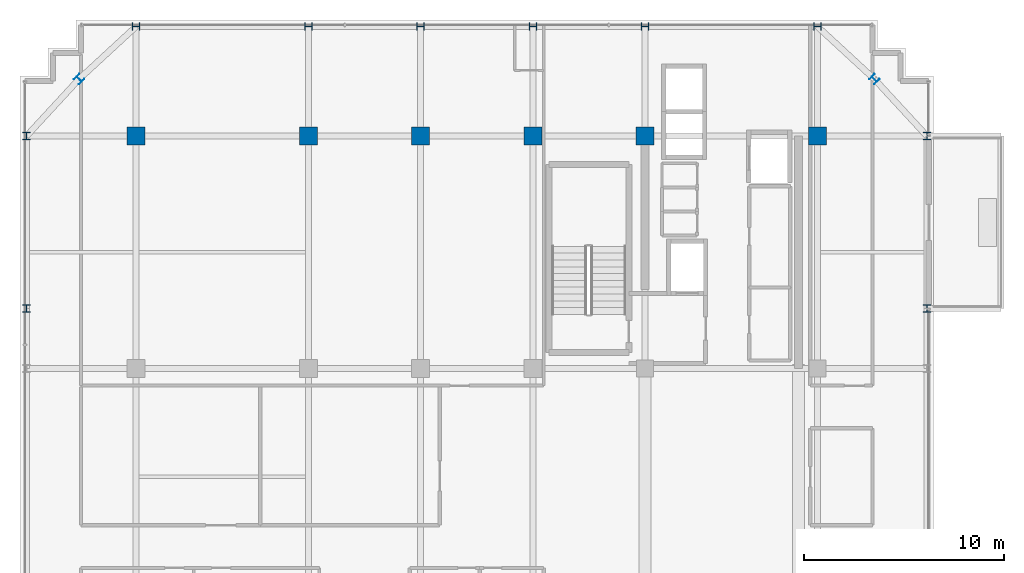
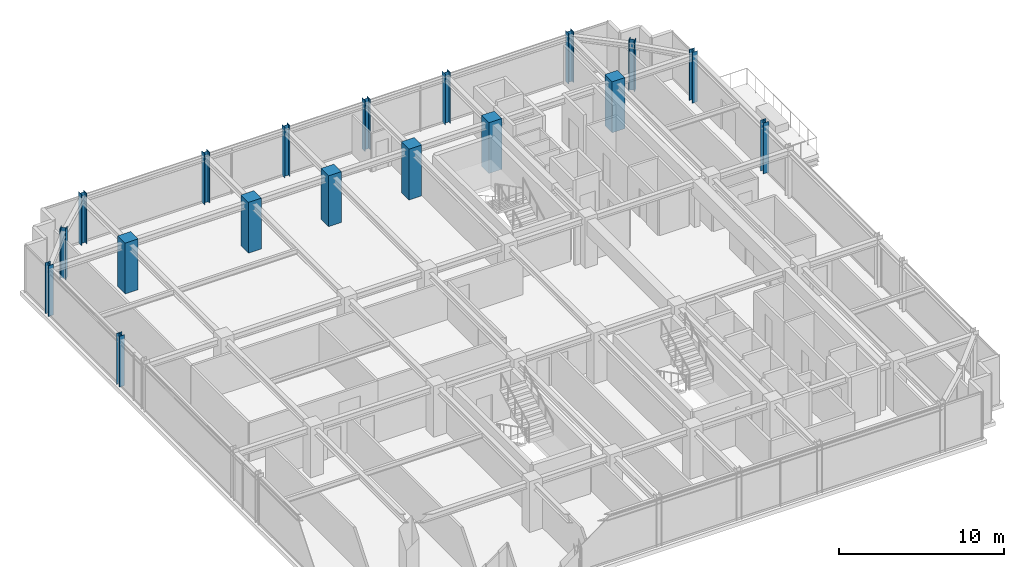
# One storey, part 3 of 33: 18 columns.
"""IFC4 building model written with IfcOpenShell, lengths in metres."""

from ifc_helpers import new_model, si_unit, direction, frame, origin, origin_2d, place, context, subcontext, project, spatial, rectangle, i_section, extrude, source, transform, mapped, material, material_profile, profile_set, type_object, element, save


model = new_model("IFC4")

# Units and contexts
model_context = context("Model", 3, precision=1e-05, world=origin(), true_north=direction((0.0, 1.0)))
body_context = subcontext(model_context, "Body", "Model", "MODEL_VIEW")
ifc_project = project(units=[si_unit("LENGTHUNIT", "METRE"), si_unit("AREAUNIT", "SQUARE_METRE"), si_unit("VOLUMEUNIT", "CUBIC_METRE"), si_unit("PLANEANGLEUNIT", "RADIAN"), si_unit("MASSUNIT", "GRAM", prefix="KILO")], contexts=[model_context])

# Site, building, storey
site_placement = place(None, origin())
site = spatial("IfcSite", under=ifc_project, at=site_placement, CompositionType="ELEMENT")
building_placement = place(site_placement, origin())
building = spatial("IfcBuilding", under=site, at=building_placement, Name="Nahalor Promenade Grand Hotel", CompositionType="ELEMENT")
storey_placement = place(building_placement, frame((0.0, 0.0, 315.75)))
storey = spatial("IfcBuildingStorey", under=building, at=storey_placement, Name="L81", CompositionType="ELEMENT", Elevation=315.75)

# Columns
ifc_material_1 = material(Name="Concrete B-50 (C40/50)", Category="concrete")
ifc_material_profile_1 = material_profile(ifc_material_1, rectangle(XDim=0.9, YDim=0.9, at=origin_2d()), Name="RC 900x900")
ifc_profile_set_1 = profile_set([ifc_material_profile_1], Name="Concrete B-50 (C40/50)")
column_type_1 = type_object("IfcColumnType", Name="Col-RC-900", PredefinedType="COLUMN", material=ifc_profile_set_1)
shared_shape_1 = source(origin(), body_context, "Body", "SweptSolid", [
    extrude(rectangle(XDim=0.9, YDim=0.9, at=origin_2d()), origin(), (0.0, 0.0, 1.0), 3.7548828125),
])
for number, where, z_axis, x_axis, name in (
    (1, (-17.0, 17.0, 0.0), (0.0, 0.0, 1.0), (1.0, 0.0, 0.0), "COL-L81-I03"),
    (2, (-8.39990234375, 17.0, 0.0), (0.0, 0.0, 1.0), (1.0, 0.0, 0.0), "COL-L81-I13"),
    (3, (-2.800048828125, 17.0, 0.0), (0.0, 0.0, 1.0), (1.0, 0.0, 0.0), "COL-L81-I23"),
    (4, (2.800048828125, 17.0, 0.0), (0.0, 0.0, 1.0), (1.0, 0.0, 0.0), "COL-L81-I33"),
    (5, (8.39990234375, 17.0, 0.0), (0.0, 0.0, 1.0), (1.0, 0.0, 0.0), "COL-L81-I43"),
    (6, (17.0, 17.0, 0.0), (0.0, 0.0, 1.0), (1.0, 0.0, 0.0), "COL-L81-I53"),
):
    element("IfcColumn", number, at=place(storey_placement, frame(where, z_axis=z_axis, x_axis=x_axis)), inside=storey, type_object=column_type_1, Name=name, PredefinedType="COLUMN", context=body_context, shape_type="MappedRepresentation", body=[
        mapped(shared_shape_1, transform((0.0, 0.0, 0.0), scale=1.0)),
    ])
ifc_material_2 = material(Name="Steel S355JR", Category="steel")
ifc_material_profile_2 = material_profile(ifc_material_2, i_section(OverallWidth=0.374, OverallDepth=0.374, WebThickness=0.0144, FlangeThickness=0.0229, at=origin_2d()), Name="HD 360x262")
ifc_profile_set_2 = profile_set([ifc_material_profile_2], Name="Steel S355JR")
column_type_2 = type_object("IfcColumnType", Name="Col-Steel-HD262", PredefinedType="COLUMN", material=ifc_profile_set_2)
shared_shape_2 = source(origin(), body_context, "Body", "SweptSolid", [
    extrude(i_section(OverallWidth=0.374, OverallDepth=0.374, WebThickness=0.0144, FlangeThickness=0.0229, at=origin_2d()), origin(), (0.0, 0.0, 1.0), 3.7548828125),
])
for number, where, z_axis, x_axis, name in (
    (7, (-22.47998046875, 8.39990234375, 0.0), (0.0, 0.0, 1.0), (1.0, 0.0, 0.0), "COL-L81-PW-W4"),
    (8, (22.47998046875, 8.39990234375, 0.0), (0.0, 0.0, 1.0), (1.0, 0.0, 0.0), "COL-L81-PW-E4"),
    (9, (-22.47998046875, 17.0, 0.0), (0.0, 0.0, 1.0), (1.0, 0.0, 0.0), "COL-L81-PW-W5"),
    (10, (22.47998046875, 17.0, 0.0), (0.0, 0.0, 1.0), (1.0, 0.0, 0.0), "COL-L81-PW-E5"),
    (11, (-17.0, 22.47998046875, 0.0), (0.0, 0.0, 1.0), (0.0, 1.0, 0.0), "COL-L81-PN-N0"),
    (12, (-8.39990234375, 22.47998046875, 0.0), (0.0, 0.0, 1.0), (0.0, 1.0, 0.0), "COL-L81-PN-N1"),
    (13, (-2.800048828125, 22.47998046875, 0.0), (0.0, 0.0, 1.0), (0.0, 1.0, 0.0), "COL-L81-PN-N2"),
    (14, (2.800048828125, 22.47998046875, 0.0), (0.0, 0.0, 1.0), (0.0, 1.0, 0.0), "COL-L81-PN-N3"),
    (15, (8.39990234375, 22.47998046875, 0.0), (0.0, 0.0, 1.0), (0.0, 1.0, 0.0), "COL-L81-PN-N4"),
    (16, (17.0, 22.47998046875, 0.0), (0.0, 0.0, 1.0), (0.0, 1.0, 0.0), "COL-L81-PN-N5"),
    (17, (-19.85009765625, 19.85009765625, 0.0), (0.0, 0.0, 1.0), (0.707106781187, 0.707106781187, 0.0), "COL-L81-CRN-NW"),
    (18, (19.85009765625, 19.85009765625, 0.0), (0.0, 0.0, 1.0), (0.707106781187, 0.707106781187, 0.0), "COL-L81-CRN-NE"),
):
    element("IfcColumn", number, at=place(storey_placement, frame(where, z_axis=z_axis, x_axis=x_axis)), inside=storey, type_object=column_type_2, Name=name, PredefinedType="COLUMN", context=body_context, shape_type="MappedRepresentation", body=[
        mapped(shared_shape_2, transform((0.0, 0.0, 0.0), scale=1.0)),
    ])

save(model, "model.ifc")
